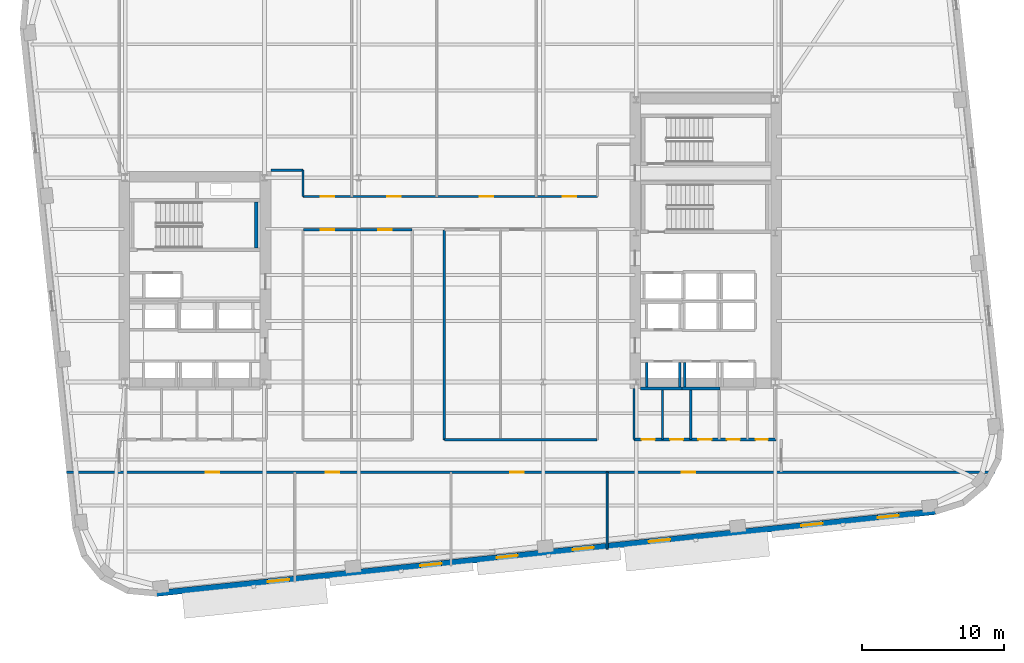
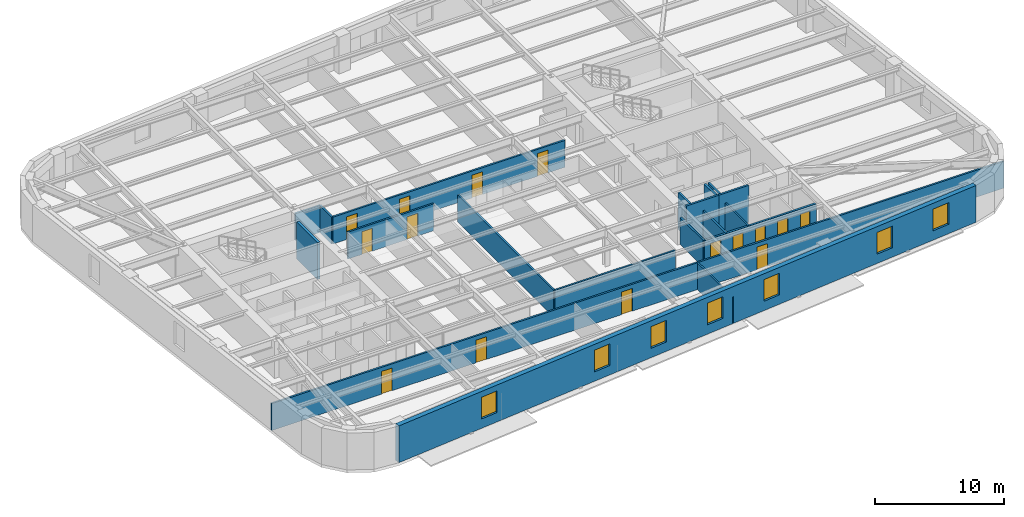
# One storey, part 5 of 13: 19 walls, 15 doors, 7 windows, 22 openings.
"""IFC4 building model written with IfcOpenShell, lengths in metres."""

from ifc_helpers import new_model, si_unit, direction, frame, frame_2d, origin, place, context, subcontext, project, spatial, rectangle, extrude, material, layer, layer_set, type_object, element, fill, save


model = new_model("IFC4")

# Units and contexts
model_context = context("Model", 3, precision=1e-05, world=origin(), true_north=direction((0.0, 1.0)))
body_context = subcontext(model_context, "Body", "Model", "MODEL_VIEW")
ifc_project = project(units=[si_unit("LENGTHUNIT", "METRE"), si_unit("AREAUNIT", "SQUARE_METRE"), si_unit("VOLUMEUNIT", "CUBIC_METRE"), si_unit("PLANEANGLEUNIT", "RADIAN"), si_unit("MASSUNIT", "GRAM", prefix="KILO")], contexts=[model_context])

# Site, building, storey
site_placement = place(None, origin())
site = spatial("IfcSite", under=ifc_project, at=site_placement, CompositionType="ELEMENT")
building_placement = place(site_placement, origin())
building = spatial("IfcBuilding", under=site, at=building_placement, Name="Kolvaren Arena Tower", CompositionType="ELEMENT")
storey_placement = place(building_placement, frame((0.0, 0.0, 114.699951171875)))
storey = spatial("IfcBuildingStorey", under=building, at=storey_placement, Name="L26", CompositionType="ELEMENT", Elevation=114.699951171875)

# Wall, openings, doors
ifc_material_1 = material(Name="Gypsum board acoustic assembly", Category="gypsum")
ifc_layer_1 = layer(ifc_material_1, 0.159912109375)
ifc_layer_set_1 = layer_set([ifc_layer_1], Name="Gypsum board acoustic assembly")
wall_type_1 = type_object("IfcWallType", Name="CORR-160", PredefinedType="PARTITIONING", material=ifc_layer_set_1)
wall_1_placement = place(storey_placement, frame((10.41552734375, 13.10009765625, 0.0), z_axis=(0.0, 0.0, 1.0), x_axis=(1.0, 0.0, 0.0)))
wall_1 = element("IfcWall", 1, at=wall_1_placement, inside=storey, type_object=wall_type_1, Name="Interior Partition Wall (L26)", PredefinedType="PARTITIONING", context=body_context, shape_type="SweptSolid", body=[
    extrude(rectangle(XDim=65.414794921875, YDim=0.159912109375, at=frame_2d((32.70751953125, 0.0))), origin(), (0.0, 0.0, 1.0), 2.5400390625),
])
opening_1_placement = place(wall_1_placement, frame((9.8095703125, 0.0, 0.0)))
opening_1 = element("IfcOpeningElement", 2, at=opening_1_placement, cuts=wall_1, Name="Opening D05", PredefinedType="OPENING", context=body_context, shape_type="SweptSolid", body=[
    extrude(rectangle(XDim=0.949951171875, YDim=2.14990234375, at=frame_2d((0.47509765625, 1.074951171875))), frame((0.0, 0.08984375, 0.0), z_axis=(0.0, -1.0, 0.0), x_axis=(1.0, 0.0, 0.0)), (0.0, 0.0, 1.0), 0.179931640625),
])
opening_2_placement = place(wall_1_placement, frame((18.259521484375, 0.0, 0.0)))
opening_2 = element("IfcOpeningElement", 3, at=opening_2_placement, cuts=wall_1, Name="Opening D05", PredefinedType="OPENING", context=body_context, shape_type="SweptSolid", body=[
    extrude(rectangle(XDim=0.949951171875, YDim=2.14990234375, at=frame_2d((0.47509765625, 1.074951171875))), frame((0.0, 0.08984375, 0.0), z_axis=(0.0, -1.0, 0.0), x_axis=(1.0, 0.0, 0.0)), (0.0, 0.0, 1.0), 0.179931640625),
])
opening_3_placement = place(wall_1_placement, frame((31.259521484375, 0.0, 0.0)))
opening_3 = element("IfcOpeningElement", 4, at=opening_3_placement, cuts=wall_1, Name="Opening D05", PredefinedType="OPENING", context=body_context, shape_type="SweptSolid", body=[
    extrude(rectangle(XDim=0.949951171875, YDim=2.14990234375, at=frame_2d((0.47509765625, 1.074951171875))), frame((0.0, 0.08984375, 0.0), z_axis=(0.0, -1.0, 0.0), x_axis=(1.0, 0.0, 0.0)), (0.0, 0.0, 1.0), 0.179931640625),
])
opening_4_placement = place(wall_1_placement, frame((43.359619140625, 0.0, 0.0)))
opening_4 = element("IfcOpeningElement", 5, at=opening_4_placement, cuts=wall_1, Name="Opening D05", PredefinedType="OPENING", context=body_context, shape_type="SweptSolid", body=[
    extrude(rectangle(XDim=0.949951171875, YDim=2.14990234375, at=frame_2d((0.47509765625, 1.074951171875))), frame((0.0, 0.08984375, 0.0), z_axis=(0.0, -1.0, 0.0), x_axis=(1.0, 0.0, 0.0)), (0.0, 0.0, 1.0), 0.179931640625),
])
ifc_material_2 = material(Name="Solid-core oak acoustic office door", Category="wood")
door_type_1 = type_object("IfcDoorType", Name="DOOR-OF-095", OperationType="NOTDEFINED", PredefinedType="DOOR", material=ifc_material_2)
door_1_placement = place(opening_1_placement, origin())
door_1 = element("IfcDoor", 6, at=door_1_placement, inside=storey, type_object=door_type_1, Name="Executive Office Door (L26)", OperationType="SINGLE_SWING_RIGHT", OverallHeight=2.14990234375, OverallWidth=0.949951171875, PredefinedType="DOOR", context=body_context, shape_type="SweptSolid", body=[
    extrude(rectangle(XDim=0.949951171875, YDim=2.14990234375, at=frame_2d((0.47509765625, 1.074951171875))), frame((0.0, 0.02490234375, 0.0), z_axis=(0.0, -1.0, 0.0), x_axis=(1.0, 0.0, 0.0)), (0.0, 0.0, 1.0), 0.050048828125),
])
fill(opening_1, door_1)
door_2_placement = place(opening_2_placement, origin())
door_2 = element("IfcDoor", 7, at=door_2_placement, inside=storey, type_object=door_type_1, Name="Meeting Room Door (L26)", OperationType="SINGLE_SWING_LEFT", OverallHeight=2.14990234375, OverallWidth=0.949951171875, PredefinedType="DOOR", context=body_context, shape_type="SweptSolid", body=[
    extrude(rectangle(XDim=0.949951171875, YDim=2.14990234375, at=frame_2d((0.47509765625, 1.074951171875))), frame((0.0, 0.02490234375, 0.0), z_axis=(0.0, -1.0, 0.0), x_axis=(1.0, 0.0, 0.0)), (0.0, 0.0, 1.0), 0.050048828125),
])
fill(opening_2, door_2)
door_3_placement = place(opening_3_placement, origin())
door_3 = element("IfcDoor", 8, at=door_3_placement, inside=storey, type_object=door_type_1, Name="Training Seminar Room Door (L26)", OperationType="SINGLE_SWING_RIGHT", OverallHeight=2.14990234375, OverallWidth=0.949951171875, PredefinedType="DOOR", context=body_context, shape_type="SweptSolid", body=[
    extrude(rectangle(XDim=0.949951171875, YDim=2.14990234375, at=frame_2d((0.47509765625, 1.074951171875))), frame((0.0, 0.02490234375, 0.0), z_axis=(0.0, -1.0, 0.0), x_axis=(1.0, 0.0, 0.0)), (0.0, 0.0, 1.0), 0.050048828125),
])
fill(opening_3, door_3)
door_4_placement = place(opening_4_placement, origin())
door_4 = element("IfcDoor", 9, at=door_4_placement, inside=storey, type_object=door_type_1, Name="Boardroom Door (L26)", OperationType="SINGLE_SWING_LEFT", OverallHeight=2.14990234375, OverallWidth=0.949951171875, PredefinedType="DOOR", context=body_context, shape_type="SweptSolid", body=[
    extrude(rectangle(XDim=0.949951171875, YDim=2.14990234375, at=frame_2d((0.47509765625, 1.074951171875))), frame((0.0, 0.02490234375, 0.0), z_axis=(0.0, -1.0, 0.0), x_axis=(1.0, 0.0, 0.0)), (0.0, 0.0, 1.0), 0.050048828125),
])
fill(opening_4, door_4)

wall_2_placement = place(storey_placement, frame((27.080078125, 32.52001953125, 0.0), z_axis=(0.0, 0.0, 1.0), x_axis=(1.0, 0.0, 0.0)))
wall_2 = element("IfcWall", 10, at=wall_2_placement, inside=storey, type_object=wall_type_1, Name="Interior Partition Wall (L26)", PredefinedType="PARTITIONING", context=body_context, shape_type="SweptSolid", body=[
    extrude(rectangle(XDim=20.739990234375, YDim=0.159912109375, at=frame_2d((10.3701171875, 0.0))), origin(), (0.0, 0.0, 1.0), 2.5400390625),
])
opening_5_placement = place(wall_2_placement, frame((1.2451171875, 0.0, 0.0)))
opening_5 = element("IfcOpeningElement", 11, at=opening_5_placement, cuts=wall_2, Name="Opening D05", PredefinedType="OPENING", context=body_context, shape_type="SweptSolid", body=[
    extrude(rectangle(XDim=0.949951171875, YDim=2.14990234375, at=frame_2d((0.47509765625, 1.074951171875))), frame((0.0, 0.08984375, 0.0), z_axis=(0.0, -1.0, 0.0), x_axis=(1.0, 0.0, 0.0)), (0.0, 0.0, 1.0), 0.179931640625),
])
opening_6_placement = place(wall_2_placement, frame((5.945068359375, 0.0, 0.0)))
opening_6 = element("IfcOpeningElement", 12, at=opening_6_placement, cuts=wall_2, Name="Opening D05", PredefinedType="OPENING", context=body_context, shape_type="SweptSolid", body=[
    extrude(rectangle(XDim=0.949951171875, YDim=2.14990234375, at=frame_2d((0.47509765625, 1.074951171875))), frame((0.0, 0.08984375, 0.0), z_axis=(0.0, -1.0, 0.0), x_axis=(1.0, 0.0, 0.0)), (0.0, 0.0, 1.0), 0.179931640625),
])
opening_7_placement = place(wall_2_placement, frame((12.445068359375, 0.0, 0.0)))
opening_7 = element("IfcOpeningElement", 13, at=opening_7_placement, cuts=wall_2, Name="Opening D05", PredefinedType="OPENING", context=body_context, shape_type="SweptSolid", body=[
    extrude(rectangle(XDim=0.949951171875, YDim=2.14990234375, at=frame_2d((0.47509765625, 1.074951171875))), frame((0.0, 0.08984375, 0.0), z_axis=(0.0, -1.0, 0.0), x_axis=(1.0, 0.0, 0.0)), (0.0, 0.0, 1.0), 0.179931640625),
])
opening_8_placement = place(wall_2_placement, frame((18.294921875, 0.0, 0.0)))
opening_8 = element("IfcOpeningElement", 14, at=opening_8_placement, cuts=wall_2, Name="Opening D05", PredefinedType="OPENING", context=body_context, shape_type="SweptSolid", body=[
    extrude(rectangle(XDim=0.949951171875, YDim=2.14990234375, at=frame_2d((0.47509765625, 1.074951171875))), frame((0.0, 0.08984375, 0.0), z_axis=(0.0, -1.0, 0.0), x_axis=(1.0, 0.0, 0.0)), (0.0, 0.0, 1.0), 0.179931640625),
])
door_5_placement = place(opening_5_placement, origin())
door_5 = element("IfcDoor", 15, at=door_5_placement, inside=storey, type_object=door_type_1, Name="Breakout Pantry and Kitchen Door (L26)", OperationType="SINGLE_SWING_RIGHT", OverallHeight=2.14990234375, OverallWidth=0.949951171875, PredefinedType="DOOR", context=body_context, shape_type="SweptSolid", body=[
    extrude(rectangle(XDim=0.949951171875, YDim=2.14990234375, at=frame_2d((0.47509765625, 1.074951171875))), frame((0.0, 0.02490234375, 0.0), z_axis=(0.0, -1.0, 0.0), x_axis=(1.0, 0.0, 0.0)), (0.0, 0.0, 1.0), 0.050048828125),
])
fill(opening_5, door_5)
door_6_placement = place(opening_6_placement, origin())
door_6 = element("IfcDoor", 16, at=door_6_placement, inside=storey, type_object=door_type_1, Name="Wellness Room Door (L26)", OperationType="SINGLE_SWING_LEFT", OverallHeight=2.14990234375, OverallWidth=0.949951171875, PredefinedType="DOOR", context=body_context, shape_type="SweptSolid", body=[
    extrude(rectangle(XDim=0.949951171875, YDim=2.14990234375, at=frame_2d((0.47509765625, 1.074951171875))), frame((0.0, 0.02490234375, 0.0), z_axis=(0.0, -1.0, 0.0), x_axis=(1.0, 0.0, 0.0)), (0.0, 0.0, 1.0), 0.050048828125),
])
fill(opening_6, door_6)
door_7_placement = place(opening_7_placement, origin())
door_7 = element("IfcDoor", 17, at=door_7_placement, inside=storey, type_object=door_type_1, Name="Executive Office Door (L26)", OperationType="SINGLE_SWING_RIGHT", OverallHeight=2.14990234375, OverallWidth=0.949951171875, PredefinedType="DOOR", context=body_context, shape_type="SweptSolid", body=[
    extrude(rectangle(XDim=0.949951171875, YDim=2.14990234375, at=frame_2d((0.47509765625, 1.074951171875))), frame((0.0, 0.02490234375, 0.0), z_axis=(0.0, -1.0, 0.0), x_axis=(1.0, 0.0, 0.0)), (0.0, 0.0, 1.0), 0.050048828125),
])
fill(opening_7, door_7)
door_8_placement = place(opening_8_placement, origin())
door_8 = element("IfcDoor", 18, at=door_8_placement, inside=storey, type_object=door_type_1, Name="Meeting Room Door (L26)", OperationType="SINGLE_SWING_LEFT", OverallHeight=2.14990234375, OverallWidth=0.949951171875, PredefinedType="DOOR", context=body_context, shape_type="SweptSolid", body=[
    extrude(rectangle(XDim=0.949951171875, YDim=2.14990234375, at=frame_2d((0.47509765625, 1.074951171875))), frame((0.0, 0.02490234375, 0.0), z_axis=(0.0, -1.0, 0.0), x_axis=(1.0, 0.0, 0.0)), (0.0, 0.0, 1.0), 0.050048828125),
])
fill(opening_8, door_8)

# Walls
wall_3_placement = place(storey_placement, frame((27.080078125, 32.52001953125, 0.0), z_axis=(0.0, 0.0, 1.0), x_axis=(0.0, 1.0, 0.0)))
element("IfcWall", 19, at=wall_3_placement, inside=storey, type_object=wall_type_1, Name="Interior Partition Wall (L26)", PredefinedType="PARTITIONING", context=body_context, shape_type="SweptSolid", body=[
    extrude(rectangle(XDim=1.85986328125, YDim=0.159912109375, at=frame_2d((0.929931640625, 0.0))), origin(), (0.0, 0.0, 1.0), 2.5400390625),
])
wall_4_placement = place(storey_placement, frame((24.820068359375, 34.3798828125, 0.0), z_axis=(0.0, 0.0, 1.0), x_axis=(1.0, 0.0, 0.0)))
element("IfcWall", 20, at=wall_4_placement, inside=storey, type_object=wall_type_1, Name="Interior Partition Wall (L26)", PredefinedType="PARTITIONING", context=body_context, shape_type="SweptSolid", body=[
    extrude(rectangle(XDim=2.260009765625, YDim=0.159912109375, at=frame_2d((1.1298828125, 0.0))), origin(), (0.0, 0.0, 1.0), 2.5400390625),
])

# Wall, openings, doors
wall_5_placement = place(storey_placement, frame((27.10009765625, 30.179931640625, 0.0), z_axis=(0.0, 0.0, 1.0), x_axis=(1.0, 0.0, 0.0)))
wall_5 = element("IfcWall", 21, at=wall_5_placement, inside=storey, type_object=wall_type_1, Name="Interior Partition Wall (L26)", PredefinedType="PARTITIONING", context=body_context, shape_type="SweptSolid", body=[
    extrude(rectangle(XDim=7.659912109375, YDim=0.159912109375, at=frame_2d((3.830078125, 0.0))), origin(), (0.0, 0.0, 1.0), 2.5400390625),
])
opening_9_placement = place(wall_5_placement, frame((1.22509765625, 0.0, 0.0)))
opening_9 = element("IfcOpeningElement", 22, at=opening_9_placement, cuts=wall_5, Name="Opening D05", PredefinedType="OPENING", context=body_context, shape_type="SweptSolid", body=[
    extrude(rectangle(XDim=0.949951171875, YDim=2.14990234375, at=frame_2d((0.47509765625, 1.074951171875))), frame((0.0, 0.08984375, 0.0), z_axis=(0.0, -1.0, 0.0), x_axis=(1.0, 0.0, 0.0)), (0.0, 0.0, 1.0), 0.179931640625),
])
opening_10_placement = place(wall_5_placement, frame((5.27490234375, 0.0, 0.0)))
opening_10 = element("IfcOpeningElement", 23, at=opening_10_placement, cuts=wall_5, Name="Opening D05", PredefinedType="OPENING", context=body_context, shape_type="SweptSolid", body=[
    extrude(rectangle(XDim=0.949951171875, YDim=2.14990234375, at=frame_2d((0.47509765625, 1.074951171875))), frame((0.0, 0.08984375, 0.0), z_axis=(0.0, -1.0, 0.0), x_axis=(1.0, 0.0, 0.0)), (0.0, 0.0, 1.0), 0.179931640625),
])
door_9_placement = place(opening_9_placement, origin())
door_9 = element("IfcDoor", 24, at=door_9_placement, inside=storey, type_object=door_type_1, Name="Training Seminar Room Door (L26)", OperationType="SINGLE_SWING_RIGHT", OverallHeight=2.14990234375, OverallWidth=0.949951171875, PredefinedType="DOOR", context=body_context, shape_type="SweptSolid", body=[
    extrude(rectangle(XDim=0.949951171875, YDim=2.14990234375, at=frame_2d((0.47509765625, 1.074951171875))), frame((0.0, 0.02490234375, 0.0), z_axis=(0.0, -1.0, 0.0), x_axis=(1.0, 0.0, 0.0)), (0.0, 0.0, 1.0), 0.050048828125),
])
fill(opening_9, door_9)
door_10_placement = place(opening_10_placement, origin())
door_10 = element("IfcDoor", 25, at=door_10_placement, inside=storey, type_object=door_type_1, Name="Boardroom Door (L26)", OperationType="SINGLE_SWING_LEFT", OverallHeight=2.14990234375, OverallWidth=0.949951171875, PredefinedType="DOOR", context=body_context, shape_type="SweptSolid", body=[
    extrude(rectangle(XDim=0.949951171875, YDim=2.14990234375, at=frame_2d((0.47509765625, 1.074951171875))), frame((0.0, 0.02490234375, 0.0), z_axis=(0.0, -1.0, 0.0), x_axis=(1.0, 0.0, 0.0)), (0.0, 0.0, 1.0), 0.050048828125),
])
fill(opening_10, door_10)

# Walls
wall_6_placement = place(storey_placement, frame((37.0400390625, 15.3798828125, 0.0), z_axis=(0.0, 0.0, 1.0), x_axis=(1.0, 0.0, 0.0)))
element("IfcWall", 26, at=wall_6_placement, inside=storey, type_object=wall_type_1, Name="Interior Partition Wall (L26)", PredefinedType="PARTITIONING", context=body_context, shape_type="SweptSolid", body=[
    extrude(rectangle(XDim=10.760009765625, YDim=0.159912109375, at=frame_2d((5.3798828125, 0.0))), origin(), (0.0, 0.0, 1.0), 2.5400390625),
])
wall_7_placement = place(storey_placement, frame((37.02001953125, 15.3798828125, 0.0), z_axis=(0.0, 0.0, 1.0), x_axis=(0.0, 1.0, 0.0)))
element("IfcWall", 27, at=wall_7_placement, inside=storey, type_object=wall_type_1, Name="Interior Partition Wall (L26)", PredefinedType="PARTITIONING", context=body_context, shape_type="SweptSolid", body=[
    extrude(rectangle(XDim=14.800048828125, YDim=0.159912109375, at=frame_2d((7.39990234375, 0.0))), origin(), (0.0, 0.0, 1.0), 2.5400390625),
])

# Wall, openings, windows
ifc_material_3 = material(Name="Precast concrete C50/60", Category="concrete")
ifc_layer_2 = layer(ifc_material_3, 0.419921875)
ifc_layer_set_2 = layer_set([ifc_layer_2], Name="Precast concrete C50/60")
wall_type_2 = type_object("IfcWallType", Name="EXT-PIER1", PredefinedType="SOLIDWALL", material=ifc_layer_set_2)
wall_8_placement = place(storey_placement, frame((71.641357421875, 10.3203125, 0.0), z_axis=(0.0, 0.0, 1.0), x_axis=(-0.994521775062, -0.104529607897, 0.0)))
wall_8 = element("IfcWall", 28, at=wall_8_placement, inside=storey, type_object=wall_type_2, Name="Exterior Precast Masonry-Frame Wall (L26)", PredefinedType="SOLIDWALL", context=body_context, shape_type="SweptSolid", body=[
    extrude(rectangle(XDim=55.199951171875, YDim=0.419921875, at=frame_2d((27.60009765625, 0.0))), origin(), (0.0, 0.0, 1.0), 3.47998046875),
])
opening_11_placement = place(wall_8_placement, frame((2.60009765625, 0.0, 0.8798828125)))
opening_11 = element("IfcOpeningElement", 29, at=opening_11_placement, cuts=wall_8, Name="Opening W03", PredefinedType="OPENING", context=body_context, shape_type="SweptSolid", body=[
    extrude(rectangle(XDim=1.5, YDim=2.050048828125, at=frame_2d((0.75, 1.02490234375))), frame((0.0, 0.219970703125, 0.0), z_axis=(0.0, -1.0, 0.0), x_axis=(1.0, 0.0, 0.0)), (0.0, 0.0, 1.0), 0.43994140625),
])
opening_12_placement = place(wall_8_placement, frame((8.0, 0.0, 0.8798828125)))
opening_12 = element("IfcOpeningElement", 30, at=opening_12_placement, cuts=wall_8, Name="Opening W03", PredefinedType="OPENING", context=body_context, shape_type="SweptSolid", body=[
    extrude(rectangle(XDim=1.5, YDim=2.050048828125, at=frame_2d((0.75, 1.02490234375))), frame((0.0, 0.219970703125, 0.0), z_axis=(0.0, -1.0, 0.0), x_axis=(1.0, 0.0, 0.0)), (0.0, 0.0, 1.0), 0.43994140625),
])
opening_13_placement = place(wall_8_placement, frame((18.800048828125, 0.0, 0.8798828125)))
opening_13 = element("IfcOpeningElement", 31, at=opening_13_placement, cuts=wall_8, Name="Opening W03", PredefinedType="OPENING", context=body_context, shape_type="SweptSolid", body=[
    extrude(rectangle(XDim=1.5, YDim=2.050048828125, at=frame_2d((0.75, 1.02490234375))), frame((0.0, 0.219970703125, 0.0), z_axis=(0.0, -1.0, 0.0), x_axis=(1.0, 0.0, 0.0)), (0.0, 0.0, 1.0), 0.43994140625),
])
opening_14_placement = place(wall_8_placement, frame((24.199951171875, 0.0, 0.8798828125)))
opening_14 = element("IfcOpeningElement", 32, at=opening_14_placement, cuts=wall_8, Name="Opening W03", PredefinedType="OPENING", context=body_context, shape_type="SweptSolid", body=[
    extrude(rectangle(XDim=1.5, YDim=2.050048828125, at=frame_2d((0.75, 1.02490234375))), frame((0.0, 0.219970703125, 0.0), z_axis=(0.0, -1.0, 0.0), x_axis=(1.0, 0.0, 0.0)), (0.0, 0.0, 1.0), 0.43994140625),
])
opening_15_placement = place(wall_8_placement, frame((29.60009765625, 0.0, 0.8798828125)))
opening_15 = element("IfcOpeningElement", 33, at=opening_15_placement, cuts=wall_8, Name="Opening W03", PredefinedType="OPENING", context=body_context, shape_type="SweptSolid", body=[
    extrude(rectangle(XDim=1.5, YDim=2.050048828125, at=frame_2d((0.75, 1.02490234375))), frame((0.0, 0.219970703125, 0.0), z_axis=(0.0, -1.0, 0.0), x_axis=(1.0, 0.0, 0.0)), (0.0, 0.0, 1.0), 0.43994140625),
])
opening_16_placement = place(wall_8_placement, frame((35.0, 0.0, 0.8798828125)))
opening_16 = element("IfcOpeningElement", 34, at=opening_16_placement, cuts=wall_8, Name="Opening W03", PredefinedType="OPENING", context=body_context, shape_type="SweptSolid", body=[
    extrude(rectangle(XDim=1.5, YDim=2.050048828125, at=frame_2d((0.75, 1.02490234375))), frame((0.0, 0.219970703125, 0.0), z_axis=(0.0, -1.0, 0.0), x_axis=(1.0, 0.0, 0.0)), (0.0, 0.0, 1.0), 0.43994140625),
])
opening_17_placement = place(wall_8_placement, frame((45.800048828125, 0.0, 0.8798828125)))
opening_17 = element("IfcOpeningElement", 35, at=opening_17_placement, cuts=wall_8, Name="Opening W03", PredefinedType="OPENING", context=body_context, shape_type="SweptSolid", body=[
    extrude(rectangle(XDim=1.5, YDim=2.050048828125, at=frame_2d((0.75, 1.02490234375))), frame((0.0, 0.219970703125, 0.0), z_axis=(0.0, -1.0, 0.0), x_axis=(1.0, 0.0, 0.0)), (0.0, 0.0, 1.0), 0.43994140625),
])
ifc_material_4 = material(Name="Triple-glazed low-E aluminium window", Category="aluminium")
window_type = type_object("IfcWindowType", Name="WIN-OFF-C", PartitioningType="SINGLE_PANEL", PredefinedType="WINDOW", material=ifc_material_4)
window_1_placement = place(opening_11_placement, origin())
window_1 = element("IfcWindow", 36, at=window_1_placement, inside=storey, type_object=window_type, Name="Punched Precast-Pier Window (L26)", OverallHeight=2.050048828125, OverallWidth=1.5, PartitioningType="SINGLE_PANEL", PredefinedType="WINDOW", context=body_context, shape_type="SweptSolid", body=[
    extrude(rectangle(XDim=1.5, YDim=2.050048828125, at=frame_2d((0.75, 1.02490234375))), frame((0.0, 0.030029296875, 0.0), z_axis=(0.0, -1.0, 0.0), x_axis=(1.0, 0.0, 0.0)), (0.0, 0.0, 1.0), 0.06005859375),
])
fill(opening_11, window_1)
window_2_placement = place(opening_12_placement, origin())
window_2 = element("IfcWindow", 37, at=window_2_placement, inside=storey, type_object=window_type, Name="Punched Precast-Pier Window (L26)", OverallHeight=2.050048828125, OverallWidth=1.5, PartitioningType="SINGLE_PANEL", PredefinedType="WINDOW", context=body_context, shape_type="SweptSolid", body=[
    extrude(rectangle(XDim=1.5, YDim=2.050048828125, at=frame_2d((0.75, 1.02490234375))), frame((0.0, 0.030029296875, 0.0), z_axis=(0.0, -1.0, 0.0), x_axis=(1.0, 0.0, 0.0)), (0.0, 0.0, 1.0), 0.06005859375),
])
fill(opening_12, window_2)
window_3_placement = place(opening_13_placement, origin())
window_3 = element("IfcWindow", 38, at=window_3_placement, inside=storey, type_object=window_type, Name="Punched Precast-Pier Window (L26)", OverallHeight=2.050048828125, OverallWidth=1.5, PartitioningType="SINGLE_PANEL", PredefinedType="WINDOW", context=body_context, shape_type="SweptSolid", body=[
    extrude(rectangle(XDim=1.5, YDim=2.050048828125, at=frame_2d((0.75, 1.02490234375))), frame((0.0, 0.030029296875, 0.0), z_axis=(0.0, -1.0, 0.0), x_axis=(1.0, 0.0, 0.0)), (0.0, 0.0, 1.0), 0.06005859375),
])
fill(opening_13, window_3)
window_4_placement = place(opening_14_placement, origin())
window_4 = element("IfcWindow", 39, at=window_4_placement, inside=storey, type_object=window_type, Name="Punched Precast-Pier Window (L26)", OverallHeight=2.050048828125, OverallWidth=1.5, PartitioningType="SINGLE_PANEL", PredefinedType="WINDOW", context=body_context, shape_type="SweptSolid", body=[
    extrude(rectangle(XDim=1.5, YDim=2.050048828125, at=frame_2d((0.75, 1.02490234375))), frame((0.0, 0.030029296875, 0.0), z_axis=(0.0, -1.0, 0.0), x_axis=(1.0, 0.0, 0.0)), (0.0, 0.0, 1.0), 0.06005859375),
])
fill(opening_14, window_4)
window_5_placement = place(opening_15_placement, origin())
window_5 = element("IfcWindow", 40, at=window_5_placement, inside=storey, type_object=window_type, Name="Punched Precast-Pier Window (L26)", OverallHeight=2.050048828125, OverallWidth=1.5, PartitioningType="SINGLE_PANEL", PredefinedType="WINDOW", context=body_context, shape_type="SweptSolid", body=[
    extrude(rectangle(XDim=1.5, YDim=2.050048828125, at=frame_2d((0.75, 1.02490234375))), frame((0.0, 0.030029296875, 0.0), z_axis=(0.0, -1.0, 0.0), x_axis=(1.0, 0.0, 0.0)), (0.0, 0.0, 1.0), 0.06005859375),
])
fill(opening_15, window_5)
window_6_placement = place(opening_16_placement, origin())
window_6 = element("IfcWindow", 41, at=window_6_placement, inside=storey, type_object=window_type, Name="Punched Precast-Pier Window (L26)", OverallHeight=2.050048828125, OverallWidth=1.5, PartitioningType="SINGLE_PANEL", PredefinedType="WINDOW", context=body_context, shape_type="SweptSolid", body=[
    extrude(rectangle(XDim=1.5, YDim=2.050048828125, at=frame_2d((0.75, 1.02490234375))), frame((0.0, 0.030029296875, 0.0), z_axis=(0.0, -1.0, 0.0), x_axis=(1.0, 0.0, 0.0)), (0.0, 0.0, 1.0), 0.06005859375),
])
fill(opening_16, window_6)
window_7_placement = place(opening_17_placement, origin())
window_7 = element("IfcWindow", 42, at=window_7_placement, inside=storey, type_object=window_type, Name="Punched Precast-Pier Window (L26)", OverallHeight=2.050048828125, OverallWidth=1.5, PartitioningType="SINGLE_PANEL", PredefinedType="WINDOW", context=body_context, shape_type="SweptSolid", body=[
    extrude(rectangle(XDim=1.5, YDim=2.050048828125, at=frame_2d((0.75, 1.02490234375))), frame((0.0, 0.030029296875, 0.0), z_axis=(0.0, -1.0, 0.0), x_axis=(1.0, 0.0, 0.0)), (0.0, 0.0, 1.0), 0.06005859375),
])
fill(opening_17, window_7)

# Walls
ifc_material_5 = material(Name="Gypsum board partition assembly", Category="gypsum")
ifc_layer_3 = layer(ifc_material_5, 0.135009765625)
ifc_layer_set_3 = layer_set([ifc_layer_3], Name="Gypsum board partition assembly")
wall_type_3 = type_object("IfcWallType", Name="PART-135", PredefinedType="PARTITIONING", material=ifc_layer_set_3)
wall_9_placement = place(storey_placement, frame((48.5, 7.677001953125, 0.0), z_axis=(0.0, 0.0, 1.0), x_axis=(0.0, 1.0, 0.0)))
element("IfcWall", 43, at=wall_9_placement, inside=storey, type_object=wall_type_3, Name="Interior Partition Wall (L26)", PredefinedType="PARTITIONING", context=body_context, shape_type="SweptSolid", body=[
    extrude(rectangle(XDim=5.423095703125, YDim=0.135009765625, at=frame_2d((2.71142578125, 0.0))), origin(), (0.0, 0.0, 1.0), 2.5400390625),
])
ifc_material_6 = material(Name="Concrete 45 MPa", Category="concrete")
ifc_layer_4 = layer(ifc_material_6, 0.25)
ifc_layer_set_4 = layer_set([ifc_layer_4], Name="Concrete 45 MPa")
wall_type_4 = type_object("IfcWallType", Name="SHAFT-250", PredefinedType="SOLIDWALL", material=ifc_layer_set_4)
wall_10_placement = place(storey_placement, frame((23.780029296875, 28.89990234375, 0.0), z_axis=(0.0, 0.0, 1.0), x_axis=(0.0, 1.0, 0.0)))
element("IfcWall", 44, at=wall_10_placement, inside=storey, type_object=wall_type_4, Name="Core Shaft Wall (L26)", PredefinedType="SOLIDWALL", context=body_context, shape_type="SweptSolid", body=[
    extrude(rectangle(XDim=3.22998046875, YDim=0.239990234375, at=frame_2d((1.614990234375, 0.0))), origin(), (0.0, 0.0, 1.0), 3.47998046875),
])
wall_11_placement = place(storey_placement, frame((50.85009765625, 18.9951171875, 0.0), z_axis=(0.0, 0.0, 1.0), x_axis=(1.0, 0.0, 0.0)))
element("IfcWall", 45, at=wall_11_placement, inside=storey, type_object=wall_type_4, Name="Core Shaft Wall (L26)", PredefinedType="SOLIDWALL", context=body_context, shape_type="SweptSolid", body=[
    extrude(rectangle(XDim=2.93994140625, YDim=0.179931640625, at=frame_2d((1.469970703125, 0.0))), origin(), (0.0, 0.0, 1.0), 3.47998046875),
])
for number, where, z_axis, x_axis, name in (
    (46, (51.304931640625, 19.0849609375, 0.0), (0.0, 0.0, 1.0), (0.0, 1.0, 0.0), "Core Shaft Wall (L26)"),
    (47, (53.614990234375, 19.0849609375, 0.0), (0.0, 0.0, 1.0), (0.0, 1.0, 0.0), "Core Shaft Wall (L26)"),
):
    element("IfcWall", number, at=place(storey_placement, frame(where, z_axis=z_axis, x_axis=x_axis)), inside=storey, type_object=wall_type_4, Name=name, PredefinedType="SOLIDWALL", context=body_context, shape_type="SweptSolid", body=[
        extrude(rectangle(XDim=1.72998046875, YDim=0.179931640625, at=frame_2d((0.864990234375, 0.0))), origin(), (0.0, 0.0, 1.0), 3.47998046875),
    ])
wall_12_placement = place(storey_placement, frame((53.7900390625, 18.9951171875, 0.0), z_axis=(0.0, 0.0, 1.0), x_axis=(1.0, 0.0, 0.0)))
element("IfcWall", 48, at=wall_12_placement, inside=storey, type_object=wall_type_4, Name="Core Shaft Wall (L26)", PredefinedType="SOLIDWALL", context=body_context, shape_type="SweptSolid", body=[
    extrude(rectangle(XDim=2.64990234375, YDim=0.179931640625, at=frame_2d((1.324951171875, 0.0))), origin(), (0.0, 0.0, 1.0), 3.47998046875),
])
wall_13_placement = place(storey_placement, frame((53.965087890625, 19.0849609375, 0.0), z_axis=(0.0, 0.0, 1.0), x_axis=(0.0, 1.0, 0.0)))
element("IfcWall", 49, at=wall_13_placement, inside=storey, type_object=wall_type_4, Name="Core Shaft Wall (L26)", PredefinedType="SOLIDWALL", context=body_context, shape_type="SweptSolid", body=[
    extrude(rectangle(XDim=1.72998046875, YDim=0.179931640625, at=frame_2d((0.864990234375, 0.0))), origin(), (0.0, 0.0, 1.0), 3.47998046875),
])

# Wall, openings, doors
wall_14_placement = place(storey_placement, frame((50.39990234375, 15.39990234375, 0.0), z_axis=(0.0, 0.0, 1.0), x_axis=(1.0, 0.0, 0.0)))
wall_14 = element("IfcWall", 50, at=wall_14_placement, inside=storey, type_object=wall_type_4, Name="Interior Partition Wall (L26)", PredefinedType="SOLIDWALL", context=body_context, shape_type="SweptSolid", body=[
    extrude(rectangle(XDim=10.0, YDim=0.179931640625, at=frame_2d((5.0, 0.0))), origin(), (0.0, 0.0, 1.0), 2.5400390625),
])
opening_18_placement = place(wall_14_placement, frame((0.5400390625, 0.0, 0.0)))
opening_18 = element("IfcOpeningElement", 51, at=opening_18_placement, cuts=wall_14, Name="Opening D07", PredefinedType="OPENING", context=body_context, shape_type="SweptSolid", body=[
    extrude(rectangle(XDim=0.919921875, YDim=2.10009765625, at=frame_2d((0.4599609375, 1.050048828125))), frame((0.0, 0.099853515625, 0.0), z_axis=(0.0, -1.0, 0.0), x_axis=(1.0, 0.0, 0.0)), (0.0, 0.0, 1.0), 0.199951171875),
])
opening_19_placement = place(wall_14_placement, frame((2.5400390625, 0.0, 0.0)))
opening_19 = element("IfcOpeningElement", 52, at=opening_19_placement, cuts=wall_14, Name="Opening D07", PredefinedType="OPENING", context=body_context, shape_type="SweptSolid", body=[
    extrude(rectangle(XDim=0.919921875, YDim=2.10009765625, at=frame_2d((0.4599609375, 1.050048828125))), frame((0.0, 0.099853515625, 0.0), z_axis=(0.0, -1.0, 0.0), x_axis=(1.0, 0.0, 0.0)), (0.0, 0.0, 1.0), 0.199951171875),
])
opening_20_placement = place(wall_14_placement, frame((4.5400390625, 0.0, 0.0)))
opening_20 = element("IfcOpeningElement", 53, at=opening_20_placement, cuts=wall_14, Name="Opening D07", PredefinedType="OPENING", context=body_context, shape_type="SweptSolid", body=[
    extrude(rectangle(XDim=0.919921875, YDim=2.10009765625, at=frame_2d((0.4599609375, 1.050048828125))), frame((0.0, 0.099853515625, 0.0), z_axis=(0.0, -1.0, 0.0), x_axis=(1.0, 0.0, 0.0)), (0.0, 0.0, 1.0), 0.199951171875),
])
opening_21_placement = place(wall_14_placement, frame((6.5400390625, 0.0, 0.0)))
opening_21 = element("IfcOpeningElement", 54, at=opening_21_placement, cuts=wall_14, Name="Opening D07", PredefinedType="OPENING", context=body_context, shape_type="SweptSolid", body=[
    extrude(rectangle(XDim=0.919921875, YDim=2.10009765625, at=frame_2d((0.4599609375, 1.050048828125))), frame((0.0, 0.099853515625, 0.0), z_axis=(0.0, -1.0, 0.0), x_axis=(1.0, 0.0, 0.0)), (0.0, 0.0, 1.0), 0.199951171875),
])
opening_22_placement = place(wall_14_placement, frame((8.570068359375, 0.0, 0.0)))
opening_22 = element("IfcOpeningElement", 55, at=opening_22_placement, cuts=wall_14, Name="Opening D09", PredefinedType="OPENING", context=body_context, shape_type="SweptSolid", body=[
    extrude(rectangle(XDim=0.860107421875, YDim=2.050048828125, at=frame_2d((0.43017578125, 1.02490234375))), frame((0.0, 0.099853515625, 0.0), z_axis=(0.0, -1.0, 0.0), x_axis=(1.0, 0.0, 0.0)), (0.0, 0.0, 1.0), 0.199951171875),
])
ifc_material_7 = material(Name="Fire-rated steel riser access door", Category="steel")
door_type_2 = type_object("IfcDoorType", Name="DOOR-RS-086", OperationType="NOTDEFINED", PredefinedType="DOOR", material=ifc_material_7)
door_11_placement = place(opening_22_placement, origin())
door_11 = element("IfcDoor", 56, at=door_11_placement, inside=storey, type_object=door_type_2, Name="Telecom Riser Closet Door (L26)", OperationType="SINGLE_SWING_RIGHT", OverallHeight=2.050048828125, OverallWidth=0.860107421875, PredefinedType="DOOR", context=body_context, shape_type="SweptSolid", body=[
    extrude(rectangle(XDim=0.860107421875, YDim=2.050048828125, at=frame_2d((0.43017578125, 1.02490234375))), frame((0.0, 0.02490234375, 0.0), z_axis=(0.0, -1.0, 0.0), x_axis=(1.0, 0.0, 0.0)), (0.0, 0.0, 1.0), 0.050048828125),
])
fill(opening_22, door_11)
ifc_material_8 = material(Name="Laminate universal washroom door", Category="wood")
door_type_3 = type_object("IfcDoorType", Name="DOOR-WC-092", OperationType="NOTDEFINED", PredefinedType="DOOR", material=ifc_material_8)
door_12_placement = place(opening_18_placement, origin())
door_12 = element("IfcDoor", 57, at=door_12_placement, inside=storey, type_object=door_type_3, Name="First Aid Store Door (L26)", OperationType="SINGLE_SWING_RIGHT", OverallHeight=2.10009765625, OverallWidth=0.919921875, PredefinedType="DOOR", context=body_context, shape_type="SweptSolid", body=[
    extrude(rectangle(XDim=0.919921875, YDim=2.10009765625, at=frame_2d((0.4599609375, 1.050048828125))), frame((0.0, 0.02490234375, 0.0), z_axis=(0.0, -1.0, 0.0), x_axis=(1.0, 0.0, 0.0)), (0.0, 0.0, 1.0), 0.050048828125),
])
fill(opening_18, door_12)
door_13_placement = place(opening_19_placement, origin())
door_13 = element("IfcDoor", 58, at=door_13_placement, inside=storey, type_object=door_type_3, Name="Cleaner and Janitor Store Door (L26)", OperationType="SINGLE_SWING_LEFT", OverallHeight=2.10009765625, OverallWidth=0.919921875, PredefinedType="DOOR", context=body_context, shape_type="SweptSolid", body=[
    extrude(rectangle(XDim=0.919921875, YDim=2.10009765625, at=frame_2d((0.4599609375, 1.050048828125))), frame((0.0, 0.02490234375, 0.0), z_axis=(0.0, -1.0, 0.0), x_axis=(1.0, 0.0, 0.0)), (0.0, 0.0, 1.0), 0.050048828125),
])
fill(opening_19, door_13)
door_14_placement = place(opening_20_placement, origin())
door_14 = element("IfcDoor", 59, at=door_14_placement, inside=storey, type_object=door_type_3, Name="Staff Pantry Door (L26)", OperationType="SINGLE_SWING_RIGHT", OverallHeight=2.10009765625, OverallWidth=0.919921875, PredefinedType="DOOR", context=body_context, shape_type="SweptSolid", body=[
    extrude(rectangle(XDim=0.919921875, YDim=2.10009765625, at=frame_2d((0.4599609375, 1.050048828125))), frame((0.0, 0.02490234375, 0.0), z_axis=(0.0, -1.0, 0.0), x_axis=(1.0, 0.0, 0.0)), (0.0, 0.0, 1.0), 0.050048828125),
])
fill(opening_20, door_14)
door_15_placement = place(opening_21_placement, origin())
door_15 = element("IfcDoor", 60, at=door_15_placement, inside=storey, type_object=door_type_3, Name="Gender-Neutral Washroom Door (L26)", OperationType="SINGLE_SWING_LEFT", OverallHeight=2.10009765625, OverallWidth=0.919921875, PredefinedType="DOOR", context=body_context, shape_type="SweptSolid", body=[
    extrude(rectangle(XDim=0.919921875, YDim=2.10009765625, at=frame_2d((0.4599609375, 1.050048828125))), frame((0.0, 0.02490234375, 0.0), z_axis=(0.0, -1.0, 0.0), x_axis=(1.0, 0.0, 0.0)), (0.0, 0.0, 1.0), 0.050048828125),
])
fill(opening_21, door_15)

# Walls
ifc_material_9 = material(Name="Moisture-resistant gypsum assembly", Category="gypsum")
ifc_layer_5 = layer(ifc_material_9, 0.14990234375)
ifc_layer_set_5 = layer_set([ifc_layer_5], Name="Moisture-resistant gypsum assembly")
wall_type_5 = type_object("IfcWallType", Name="WETW-150", PredefinedType="PARTITIONING", material=ifc_layer_set_5)
for number, where, z_axis, x_axis, name in (
    (61, (52.39990234375, 15.39990234375, 0.0), (0.0, 0.0, 1.0), (0.0, 1.0, 0.0), "Interior Partition Wall (L26)"),
    (62, (54.39990234375, 15.39990234375, 0.0), (0.0, 0.0, 1.0), (0.0, 1.0, 0.0), "Interior Partition Wall (L26)"),
    (63, (50.39990234375, 15.39990234375, 0.0), (0.0, 0.0, 1.0), (0.0, 1.0, 0.0), "Interior Partition Wall (L26)"),
):
    element("IfcWall", number, at=place(storey_placement, frame(where, z_axis=z_axis, x_axis=x_axis)), inside=storey, type_object=wall_type_5, Name=name, PredefinedType="PARTITIONING", context=body_context, shape_type="SweptSolid", body=[
        extrude(rectangle(XDim=3.580078125, YDim=0.14990234375, at=frame_2d((1.7900390625, 0.0))), origin(), (0.0, 0.0, 1.0), 2.5400390625),
    ])

save(model, "model.ifc")
